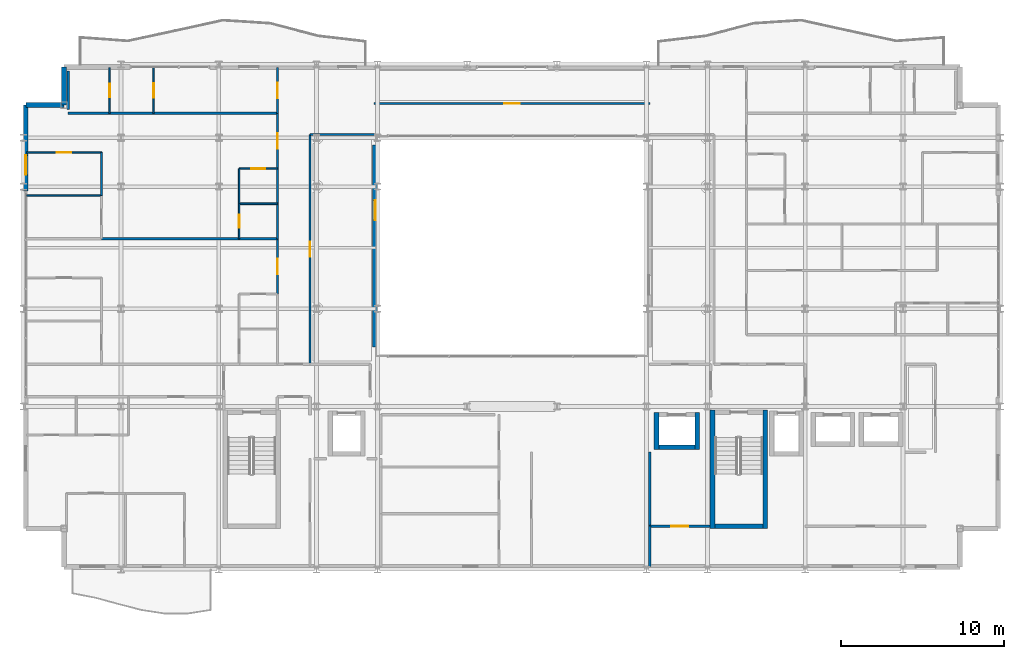
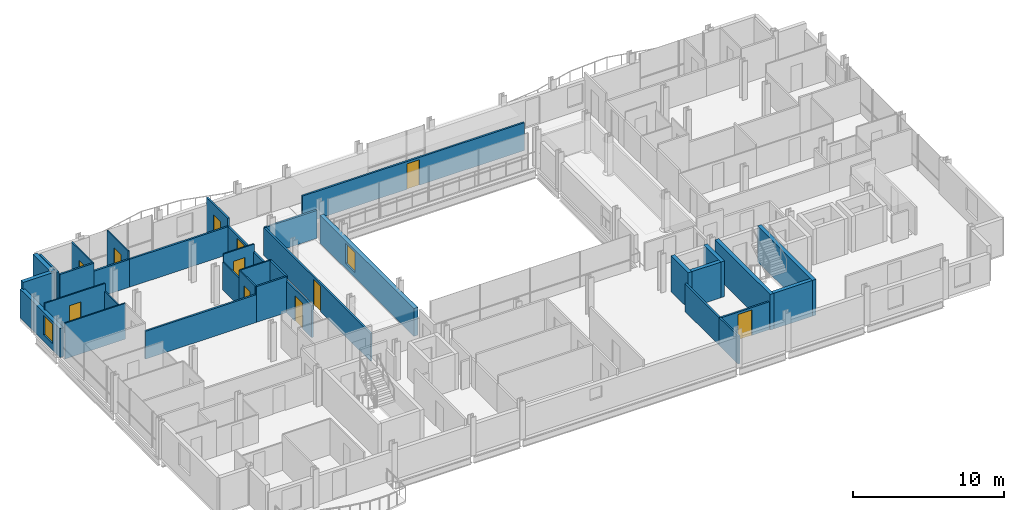
# One storey, part 35 of 41: 36 walls, 11 doors, 2 windows, 13 openings.
"""IFC4 building model written with IfcOpenShell, lengths in metres."""

from ifc_helpers import new_model, si_unit, direction, frame, frame_2d, origin, place, context, subcontext, project, spatial, rectangle, extrude, material, layer, layer_set, type_object, element, fill, save


model = new_model("IFC4")

# Units and contexts
model_context = context("Model", 3, precision=1e-05, world=origin(), true_north=direction((0.0, 1.0)))
body_context = subcontext(model_context, "Body", "Model", "MODEL_VIEW")
ifc_project = project(units=[si_unit("LENGTHUNIT", "METRE"), si_unit("AREAUNIT", "SQUARE_METRE"), si_unit("VOLUMEUNIT", "CUBIC_METRE"), si_unit("PLANEANGLEUNIT", "RADIAN"), si_unit("MASSUNIT", "GRAM", prefix="KILO")], contexts=[model_context])

# Site, building, storey
site_placement = place(None, origin())
site = spatial("IfcSite", under=ifc_project, at=site_placement, CompositionType="ELEMENT")
building_placement = place(site_placement, origin())
building = spatial("IfcBuilding", under=site, at=building_placement, Name="Brevholm Reach", CompositionType="ELEMENT")
storey_placement = place(building_placement, frame((0.0, 0.0, 138.699951171875)))
storey = spatial("IfcBuildingStorey", under=building, at=storey_placement, Name="L41", CompositionType="ELEMENT", Elevation=138.699951171875)

# Walls
ifc_material_1 = material(Name="Concrete C50/60", Category="concrete")
ifc_layer_1 = layer(ifc_material_1, 0.280029296875)
ifc_layer_set_1 = layer_set([ifc_layer_1], Name="Concrete C50/60")
wall_type_1 = type_object("IfcWallType", Name="WAL-COR-280", PredefinedType="SHEAR", material=ifc_layer_set_1)
for number, where, z_axis, x_axis, name in (
    (1, (42.31005859375, 2.5, 0.0), (0.0, 0.0, 1.0), (0.0, 1.0, 0.0), "L41 Escape Stair ST-2 Core Wall W"),
    (2, (45.5400390625, 2.5, 0.0), (0.0, 0.0, 1.0), (0.0, 1.0, 0.0), "L41 Escape Stair ST-2 Core Wall E"),
):
    element("IfcWall", number, at=place(storey_placement, frame(where, z_axis=z_axis, x_axis=x_axis)), inside=storey, type_object=wall_type_1, Name=name, PredefinedType="SHEAR", context=body_context, shape_type="SweptSolid", body=[
        extrude(rectangle(XDim=7.280029296875, YDim=0.280029296875, at=frame_2d((3.64013671875, 0.0))), origin(), (0.0, 0.0, 1.0), 2.880126953125),
    ])
wall_1_placement = place(storey_placement, frame((42.449951171875, 2.639892578125, 0.0), z_axis=(0.0, 0.0, 1.0), x_axis=(1.0, 0.0, 0.0)))
element("IfcWall", 3, at=wall_1_placement, inside=storey, type_object=wall_type_1, Name="L41 Escape Stair ST-2 Core Wall S", PredefinedType="SHEAR", context=body_context, shape_type="SweptSolid", body=[
    extrude(rectangle(XDim=2.949951171875, YDim=0.280029296875, at=frame_2d((1.47509765625, 0.0))), origin(), (0.0, 0.0, 1.0), 2.880126953125),
])
for number, where, z_axis, x_axis, name in (
    (4, (38.8701171875, 7.360107421875, 0.0), (0.0, 0.0, 1.0), (0.0, 1.0, 0.0), "L41 Lift PL-S1 Shaft Wall W"),
    (5, (41.3701171875, 7.360107421875, 0.0), (0.0, 0.0, 1.0), (0.0, 1.0, 0.0), "L41 Lift PL-S1 Shaft Wall E"),
):
    element("IfcWall", number, at=place(storey_placement, frame(where, z_axis=z_axis, x_axis=x_axis)), inside=storey, type_object=wall_type_1, Name=name, PredefinedType="SHEAR", context=body_context, shape_type="SweptSolid", body=[
        extrude(rectangle(XDim=2.27978515625, YDim=0.280029296875, at=frame_2d((1.139892578125, 0.0))), origin(), (0.0, 0.0, 1.0), 2.880126953125),
    ])
wall_2_placement = place(storey_placement, frame((39.010009765625, 7.5, 0.0), z_axis=(0.0, 0.0, 1.0), x_axis=(1.0, 0.0, 0.0)))
element("IfcWall", 6, at=wall_2_placement, inside=storey, type_object=wall_type_1, Name="L41 Lift PL-S1 Shaft Wall S", PredefinedType="SHEAR", context=body_context, shape_type="SweptSolid", body=[
    extrude(rectangle(XDim=2.219970703125, YDim=0.280029296875, at=frame_2d((1.10986328125, 0.0))), origin(), (0.0, 0.0, 1.0), 2.880126953125),
])
ifc_material_2 = material(Name="Concrete C40/50", Category="concrete")
ifc_layer_2 = layer(ifc_material_2, 0.300048828125)
ifc_layer_set_2 = layer_set([ifc_layer_2], Name="Concrete C40/50")
wall_type_2 = type_object("IfcWallType", Name="WAL-EXT-300", PredefinedType="STANDARD", material=ifc_layer_set_2)
for number, where, z_axis, x_axis, name in (
    (7, (2.5, 30.85009765625, 0.0), (0.0, 0.0, 1.0), (0.0, -1.0, 0.0), "L41 Facade Wall WAL-L41-CNW1"),
    (8, (2.5, 28.5, 0.0), (0.0, 0.0, 1.0), (-1.0, 0.0, 0.0), "L41 Facade Wall WAL-L41-CNW2"),
):
    element("IfcWall", number, at=place(storey_placement, frame(where, z_axis=z_axis, x_axis=x_axis)), inside=storey, type_object=wall_type_2, Name=name, PredefinedType="STANDARD", context=body_context, shape_type="SweptSolid", body=[
        extrude(rectangle(XDim=2.35009765625, YDim=0.300048828125, at=frame_2d((1.175048828125, 0.0))), origin(), (0.0, 0.0, 1.0), 2.880126953125),
    ])

# Wall, opening, window
wall_3_placement = place(storey_placement, frame((0.14990234375, 28.5, 0.0), z_axis=(0.0, 0.0, 1.0), x_axis=(0.0, -1.0, 0.0)))
wall_3 = element("IfcWall", 9, at=wall_3_placement, inside=storey, type_object=wall_type_2, Name="L41 Facade Wall WAL-L41-W-N", PredefinedType="STANDARD", context=body_context, shape_type="SweptSolid", body=[
    extrude(rectangle(XDim=5.280029296875, YDim=0.300048828125, at=frame_2d((2.64013671875, 0.0))), origin(), (0.0, 0.0, 1.0), 2.322021484375),
])
opening_1_placement = place(wall_3_placement, frame((3.080078125, 0.0, 0.501953125)))
opening_1 = element("IfcOpeningElement", 10, at=opening_1_placement, cuts=wall_3, Name="Opening WN-08", PredefinedType="OPENING", context=body_context, shape_type="SweptSolid", body=[
    extrude(rectangle(XDim=1.199951171875, YDim=1.60009765625, at=frame_2d((0.60009765625, 0.800048828125))), frame((0.0, 0.159912109375, 0.0), z_axis=(0.0, -1.0, 0.0), x_axis=(1.0, 0.0, 0.0)), (0.0, 0.0, 1.0), 0.320068359375),
])
ifc_material_3 = material(Name="Dark Anodised Aluminium and Solar-Control IGU Glass", Category="aluminium")
window_type = type_object("IfcWindowType", Name="WIN-RES-1200", PartitioningType="SINGLE_PANEL", PredefinedType="WINDOW", material=ifc_material_3)
window_1_placement = place(opening_1_placement, origin())
window_1 = element("IfcWindow", 11, at=window_1_placement, inside=storey, type_object=window_type, Name="L41 Window WIN-L41-WN-1", OverallHeight=1.60009765625, OverallWidth=1.199951171875, PartitioningType="SINGLE_PANEL", PredefinedType="WINDOW", context=body_context, shape_type="SweptSolid", body=[
    extrude(rectangle(XDim=1.199951171875, YDim=1.60009765625, at=frame_2d((0.60009765625, 0.800048828125))), frame((0.0, 0.030029296875, 0.0), z_axis=(0.0, -1.0, 0.0), x_axis=(1.0, 0.0, 0.0)), (0.0, 0.0, 1.0), 0.06005859375),
])
fill(opening_1, window_1)

wall_4_placement = place(storey_placement, frame((21.60009765625, 26.050048828125, 0.0), z_axis=(0.0, 0.0, 1.0), x_axis=(0.0, -1.0, 0.0)))
wall_4 = element("IfcWall", 12, at=wall_4_placement, inside=storey, type_object=wall_type_2, Name="L41 Facade Wall WAL-L41-AT-W", PredefinedType="STANDARD", context=body_context, shape_type="SweptSolid", body=[
    extrude(rectangle(XDim=12.400146484375, YDim=0.300048828125, at=frame_2d((6.2001953125, 0.0))), origin(), (0.0, 0.0, 1.0), 2.242919921875),
])
opening_2_placement = place(wall_4_placement, frame((3.39990234375, 0.0, 0.423095703125)))
opening_2 = element("IfcOpeningElement", 13, at=opening_2_placement, cuts=wall_4, Name="Opening WN-08", PredefinedType="OPENING", context=body_context, shape_type="SweptSolid", body=[
    extrude(rectangle(XDim=1.199951171875, YDim=1.60009765625, at=frame_2d((0.60009765625, 0.800048828125))), frame((0.0, 0.159912109375, 0.0), z_axis=(0.0, -1.0, 0.0), x_axis=(1.0, 0.0, 0.0)), (0.0, 0.0, 1.0), 0.320068359375),
])
window_2_placement = place(opening_2_placement, origin())
window_2 = element("IfcWindow", 14, at=window_2_placement, inside=storey, type_object=window_type, Name="L41 Window WIN-L41-AT-W1", OverallHeight=1.60009765625, OverallWidth=1.199951171875, PartitioningType="SINGLE_PANEL", PredefinedType="WINDOW", context=body_context, shape_type="SweptSolid", body=[
    extrude(rectangle(XDim=1.199951171875, YDim=1.60009765625, at=frame_2d((0.60009765625, 0.800048828125))), frame((0.0, 0.030029296875, 0.0), z_axis=(0.0, -1.0, 0.0), x_axis=(1.0, 0.0, 0.0)), (0.0, 0.0, 1.0), 0.06005859375),
])
fill(opening_2, window_2)

# Wall
ifc_material_4 = material(Name="Moisture-Resistant Acoustic Gypsum Stud Partition 100 mm", Category="gypsum")
ifc_layer_3 = layer(ifc_material_4, 0.10009765625)
ifc_layer_set_3 = layer_set([ifc_layer_3], Name="Moisture-Resistant Acoustic Gypsum Stud Partition 100 mm")
wall_type_3 = type_object("IfcWallType", Name="WAL-PRT-100", PredefinedType="PARTITIONING", material=ifc_layer_set_3)
wall_5_placement = place(storey_placement, frame((13.25, 22.449951171875, 0.0), z_axis=(0.0, 0.0, 1.0), x_axis=(1.0, 0.0, 0.0)))
element("IfcWall", 15, at=wall_5_placement, inside=storey, type_object=wall_type_3, Name="L41 Internal Partition 080", PredefinedType="PARTITIONING", context=body_context, shape_type="SweptSolid", body=[
    extrude(rectangle(XDim=2.345947265625, YDim=0.10009765625, at=frame_2d((1.1728515625, 0.0))), origin(), (0.0, 0.0, 1.0), 2.880126953125),
])

# Wall, opening, door
wall_6_placement = place(storey_placement, frame((13.25, 20.303955078125, 0.0), z_axis=(0.0, 0.0, 1.0), x_axis=(0.0, 1.0, 0.0)))
wall_6 = element("IfcWall", 16, at=wall_6_placement, inside=storey, type_object=wall_type_3, Name="L41 Internal Partition 081", PredefinedType="PARTITIONING", context=body_context, shape_type="SweptSolid", body=[
    extrude(rectangle(XDim=2.14599609375, YDim=0.10009765625, at=frame_2d((1.072998046875, 0.0))), origin(), (0.0, 0.0, 1.0), 2.880126953125),
])
opening_3_placement = place(wall_6_placement, frame((0.6630859375, 0.0, 0.0)))
opening_3 = element("IfcOpeningElement", 17, at=opening_3_placement, cuts=wall_6, Name="Opening ID-03", PredefinedType="OPENING", context=body_context, shape_type="SweptSolid", body=[
    extrude(rectangle(XDim=0.820068359375, YDim=2.02001953125, at=frame_2d((0.41015625, 1.010009765625))), frame((0.0, 0.06005859375, 0.0), z_axis=(0.0, -1.0, 0.0), x_axis=(1.0, 0.0, 0.0)), (0.0, 0.0, 1.0), 0.1201171875),
])
ifc_material_5 = material(Name="Moisture-Resistant Painted Timber Internal Bathroom Door", Category="wood")
door_type_1 = type_object("IfcDoorType", Name="DOR-BATH-820", OperationType="NOTDEFINED", PredefinedType="DOOR", material=ifc_material_5)
door_1_placement = place(opening_3_placement, origin())
door_1 = element("IfcDoor", 18, at=door_1_placement, inside=storey, type_object=door_type_1, Name="L41 Internal Door 035", OperationType="SINGLE_SWING_RIGHT", OverallHeight=2.02001953125, OverallWidth=0.820068359375, PredefinedType="DOOR", context=body_context, shape_type="SweptSolid", body=[
    extrude(rectangle(XDim=0.820068359375, YDim=2.02001953125, at=frame_2d((0.41015625, 1.010009765625))), frame((0.0, 0.02490234375, 0.0), z_axis=(0.0, -1.0, 0.0), x_axis=(1.0, 0.0, 0.0)), (0.0, 0.0, 1.0), 0.050048828125),
])
fill(opening_3, door_1)

wall_7_placement = place(storey_placement, frame((13.25, 24.60595703125, 0.0), z_axis=(0.0, 0.0, 1.0), x_axis=(1.0, 0.0, 0.0)))
wall_7 = element("IfcWall", 19, at=wall_7_placement, inside=storey, type_object=wall_type_3, Name="L41 Internal Partition 082", PredefinedType="PARTITIONING", context=body_context, shape_type="SweptSolid", body=[
    extrude(rectangle(XDim=2.345947265625, YDim=0.10009765625, at=frame_2d((1.1728515625, 0.0))), origin(), (0.0, 0.0, 1.0), 2.880126953125),
])
opening_4_placement = place(wall_7_placement, frame((0.73291015625, 0.0, 0.0)))
opening_4 = element("IfcOpeningElement", 20, at=opening_4_placement, cuts=wall_7, Name="Opening ID-01", PredefinedType="OPENING", context=body_context, shape_type="SweptSolid", body=[
    extrude(rectangle(XDim=0.8798828125, YDim=2.0400390625, at=frame_2d((0.43994140625, 1.02001953125))), frame((0.0, 0.06005859375, 0.0), z_axis=(0.0, -1.0, 0.0), x_axis=(1.0, 0.0, 0.0)), (0.0, 0.0, 1.0), 0.1201171875),
])
ifc_material_6 = material(Name="Lacquered Ash Solid-Core Acoustic Internal Door", Category="timber")
door_type_2 = type_object("IfcDoorType", Name="DOR-INT-880", OperationType="NOTDEFINED", PredefinedType="DOOR", material=ifc_material_6)
door_2_placement = place(opening_4_placement, origin())
door_2 = element("IfcDoor", 21, at=door_2_placement, inside=storey, type_object=door_type_2, Name="L41 Internal Door 036", OperationType="SINGLE_SWING_LEFT", OverallHeight=2.0400390625, OverallWidth=0.8798828125, PredefinedType="DOOR", context=body_context, shape_type="SweptSolid", body=[
    extrude(rectangle(XDim=0.8798828125, YDim=2.0400390625, at=frame_2d((0.43994140625, 1.02001953125))), frame((0.0, 0.02490234375, 0.0), z_axis=(0.0, -1.0, 0.0), x_axis=(1.0, 0.0, 0.0)), (0.0, 0.0, 1.0), 0.050048828125),
])
fill(opening_4, door_2)

# Walls
wall_8_placement = place(storey_placement, frame((13.25, 22.4541015625, 0.0), z_axis=(0.0, 0.0, 1.0), x_axis=(0.0, 1.0, 0.0)))
element("IfcWall", 22, at=wall_8_placement, inside=storey, type_object=wall_type_3, Name="L41 Internal Partition 083", PredefinedType="PARTITIONING", context=body_context, shape_type="SweptSolid", body=[
    extrude(rectangle(XDim=2.15185546875, YDim=0.10009765625, at=frame_2d((1.075927734375, 0.0))), origin(), (0.0, 0.0, 1.0), 2.242919921875),
])
wall_9_placement = place(storey_placement, frame((0.199951171875, 22.949951171875, 0.0), z_axis=(0.0, 0.0, 1.0), x_axis=(1.0, 0.0, 0.0)))
element("IfcWall", 23, at=wall_9_placement, inside=storey, type_object=wall_type_3, Name="L41 Internal Partition 084", PredefinedType="PARTITIONING", context=body_context, shape_type="SweptSolid", body=[
    extrude(rectangle(XDim=4.60009765625, YDim=0.10009765625, at=frame_2d((2.300048828125, 0.0))), origin(), (0.0, 0.0, 1.0), 2.880126953125),
])
wall_10_placement = place(storey_placement, frame((4.800048828125, 22.9541015625, 0.0), z_axis=(0.0, 0.0, 1.0), x_axis=(0.0, 1.0, 0.0)))
element("IfcWall", 24, at=wall_10_placement, inside=storey, type_object=wall_type_3, Name="L41 Internal Partition 086", PredefinedType="PARTITIONING", context=body_context, shape_type="SweptSolid", body=[
    extrude(rectangle(XDim=2.64599609375, YDim=0.10009765625, at=frame_2d((1.322998046875, 0.0))), origin(), (0.0, 0.0, 1.0), 2.242919921875),
])

# Wall, opening, door
wall_11_placement = place(storey_placement, frame((0.199951171875, 25.60009765625, 0.0), z_axis=(0.0, 0.0, 1.0), x_axis=(1.0, 0.0, 0.0)))
wall_11 = element("IfcWall", 25, at=wall_11_placement, inside=storey, type_object=wall_type_3, Name="L41 Internal Partition 087", PredefinedType="PARTITIONING", context=body_context, shape_type="SweptSolid", body=[
    extrude(rectangle(XDim=4.60009765625, YDim=0.10009765625, at=frame_2d((2.300048828125, 0.0))), origin(), (0.0, 0.0, 1.0), 2.880126953125),
])
opening_5_placement = place(wall_11_placement, frame((1.860107421875, 0.0, 0.0)))
opening_5 = element("IfcOpeningElement", 26, at=opening_5_placement, cuts=wall_11, Name="Opening ID-01", PredefinedType="OPENING", context=body_context, shape_type="SweptSolid", body=[
    extrude(rectangle(XDim=0.8798828125, YDim=2.0400390625, at=frame_2d((0.43994140625, 1.02001953125))), frame((0.0, 0.06005859375, 0.0), z_axis=(0.0, -1.0, 0.0), x_axis=(1.0, 0.0, 0.0)), (0.0, 0.0, 1.0), 0.1201171875),
])
door_3_placement = place(opening_5_placement, origin())
door_3 = element("IfcDoor", 27, at=door_3_placement, inside=storey, type_object=door_type_2, Name="L41 Internal Door 038", OperationType="SINGLE_SWING_LEFT", OverallHeight=2.0400390625, OverallWidth=0.8798828125, PredefinedType="DOOR", context=body_context, shape_type="SweptSolid", body=[
    extrude(rectangle(XDim=0.8798828125, YDim=2.0400390625, at=frame_2d((0.43994140625, 1.02001953125))), frame((0.0, 0.02490234375, 0.0), z_axis=(0.0, -1.0, 0.0), x_axis=(1.0, 0.0, 0.0)), (0.0, 0.0, 1.0), 0.050048828125),
])
fill(opening_5, door_3)

wall_12_placement = place(storey_placement, frame((5.300048828125, 28.00390625, 0.0), z_axis=(0.0, 0.0, 1.0), x_axis=(0.0, 1.0, 0.0)))
wall_12 = element("IfcWall", 28, at=wall_12_placement, inside=storey, type_object=wall_type_3, Name="L41 Internal Partition 113", PredefinedType="PARTITIONING", context=body_context, shape_type="SweptSolid", body=[
    extrude(rectangle(XDim=2.796142578125, YDim=0.10009765625, at=frame_2d((1.39794921875, 0.0))), origin(), (0.0, 0.0, 1.0), 2.880126953125),
])
opening_6_placement = place(wall_12_placement, frame((0.988037109375, 0.0, 0.0)))
opening_6 = element("IfcOpeningElement", 29, at=opening_6_placement, cuts=wall_12, Name="Opening ID-03", PredefinedType="OPENING", context=body_context, shape_type="SweptSolid", body=[
    extrude(rectangle(XDim=0.820068359375, YDim=2.02001953125, at=frame_2d((0.41015625, 1.010009765625))), frame((0.0, 0.06005859375, 0.0), z_axis=(0.0, -1.0, 0.0), x_axis=(1.0, 0.0, 0.0)), (0.0, 0.0, 1.0), 0.1201171875),
])
door_4_placement = place(opening_6_placement, origin())
door_4 = element("IfcDoor", 30, at=door_4_placement, inside=storey, type_object=door_type_1, Name="L41 Access Door 048", OperationType="SINGLE_SWING_LEFT", OverallHeight=2.02001953125, OverallWidth=0.820068359375, PredefinedType="DOOR", context=body_context, shape_type="SweptSolid", body=[
    extrude(rectangle(XDim=0.820068359375, YDim=2.02001953125, at=frame_2d((0.41015625, 1.010009765625))), frame((0.0, 0.02490234375, 0.0), z_axis=(0.0, -1.0, 0.0), x_axis=(1.0, 0.0, 0.0)), (0.0, 0.0, 1.0), 0.050048828125),
])
fill(opening_6, door_4)

wall_13_placement = place(storey_placement, frame((8.0, 28.00390625, 0.0), z_axis=(0.0, 0.0, 1.0), x_axis=(0.0, 1.0, 0.0)))
wall_13 = element("IfcWall", 31, at=wall_13_placement, inside=storey, type_object=wall_type_3, Name="L41 Internal Partition 114", PredefinedType="PARTITIONING", context=body_context, shape_type="SweptSolid", body=[
    extrude(rectangle(XDim=2.796142578125, YDim=0.10009765625, at=frame_2d((1.39794921875, 0.0))), origin(), (0.0, 0.0, 1.0), 2.880126953125),
])
opening_7_placement = place(wall_13_placement, frame((0.9580078125, 0.0, 0.0)))
opening_7 = element("IfcOpeningElement", 32, at=opening_7_placement, cuts=wall_13, Name="Opening ID-01", PredefinedType="OPENING", context=body_context, shape_type="SweptSolid", body=[
    extrude(rectangle(XDim=0.8798828125, YDim=2.0400390625, at=frame_2d((0.43994140625, 1.02001953125))), frame((0.0, 0.06005859375, 0.0), z_axis=(0.0, -1.0, 0.0), x_axis=(1.0, 0.0, 0.0)), (0.0, 0.0, 1.0), 0.1201171875),
])
door_5_placement = place(opening_7_placement, origin())
door_5 = element("IfcDoor", 33, at=door_5_placement, inside=storey, type_object=door_type_2, Name="L41 Internal Door 046", OperationType="SINGLE_SWING_LEFT", OverallHeight=2.0400390625, OverallWidth=0.8798828125, PredefinedType="DOOR", context=body_context, shape_type="SweptSolid", body=[
    extrude(rectangle(XDim=0.8798828125, YDim=2.0400390625, at=frame_2d((0.43994140625, 1.02001953125))), frame((0.0, 0.02490234375, 0.0), z_axis=(0.0, -1.0, 0.0), x_axis=(1.0, 0.0, 0.0)), (0.0, 0.0, 1.0), 0.050048828125),
])
fill(opening_7, door_5)

# Walls
ifc_material_7 = material(Name="Twin-Stud Acoustic Fire-Rated Gypsum Partition 140 mm", Category="gypsum")
ifc_layer_4 = layer(ifc_material_7, 0.139892578125)
ifc_layer_set_4 = layer_set([ifc_layer_4], Name="Twin-Stud Acoustic Fire-Rated Gypsum Partition 140 mm")
wall_type_4 = type_object("IfcWallType", Name="WAL-PRT-140", PredefinedType="PARTITIONING", material=ifc_layer_set_4)
wall_14_placement = place(storey_placement, frame((38.449951171875, 0.179931640625, 0.0), z_axis=(0.0, 0.0, 1.0), x_axis=(0.0, 1.0, 0.0)))
element("IfcWall", 34, at=wall_14_placement, inside=storey, type_object=wall_type_4, Name="L41 Internal Partition 010", PredefinedType="PARTITIONING", context=body_context, shape_type="SweptSolid", body=[
    extrude(rectangle(XDim=2.4814453125, YDim=0.139892578125, at=frame_2d((1.24072265625, 0.0))), origin(), (0.0, 0.0, 1.0), 2.242919921875),
])
wall_15_placement = place(storey_placement, frame((38.449951171875, 2.642578125, 0.0), z_axis=(0.0, 0.0, 1.0), x_axis=(0.0, 1.0, 0.0)))
element("IfcWall", 35, at=wall_15_placement, inside=storey, type_object=wall_type_4, Name="L41 Internal Partition 011", PredefinedType="PARTITIONING", context=body_context, shape_type="SweptSolid", body=[
    extrude(rectangle(XDim=4.557373046875, YDim=0.139892578125, at=frame_2d((2.27880859375, 0.0))), origin(), (0.0, 0.0, 1.0), 2.242919921875),
])

# Wall, opening, door
wall_16_placement = place(storey_placement, frame((38.4541015625, 2.64990234375, 0.0), z_axis=(0.0, 0.0, 1.0), x_axis=(1.0, 0.0, 0.0)))
wall_16 = element("IfcWall", 36, at=wall_16_placement, inside=storey, type_object=wall_type_4, Name="L41 Internal Partition 013", PredefinedType="PARTITIONING", context=body_context, shape_type="SweptSolid", body=[
    extrude(rectangle(XDim=3.705810546875, YDim=0.139892578125, at=frame_2d((1.85302734375, 0.0))), origin(), (0.0, 0.0, 1.0), 2.242919921875),
])
opening_8_placement = place(wall_16_placement, frame((1.327880859375, 0.0, 0.0)))
opening_8 = element("IfcOpeningElement", 37, at=opening_8_placement, cuts=wall_16, Name="Opening FD-01", PredefinedType="OPENING", context=body_context, shape_type="SweptSolid", body=[
    extrude(rectangle(XDim=1.050048828125, YDim=2.06005859375, at=frame_2d((0.52490234375, 1.030029296875))), frame((0.0, 0.079833984375, 0.0), z_axis=(0.0, -1.0, 0.0), x_axis=(1.0, 0.0, 0.0)), (0.0, 0.0, 1.0), 0.159912109375),
])
ifc_material_8 = material(Name="Hardwood-Lipped Steel-Core Fire and Smoke Door", Category="steel")
door_type_3 = type_object("IfcDoorType", Name="DOR-INT-FD60S", OperationType="NOTDEFINED", PredefinedType="DOOR", material=ifc_material_8)
door_6_placement = place(opening_8_placement, origin())
door_6 = element("IfcDoor", 38, at=door_6_placement, inside=storey, type_object=door_type_3, Name="L41 Internal Door 006", OperationType="SINGLE_SWING_LEFT", OverallHeight=2.06005859375, OverallWidth=1.050048828125, PredefinedType="DOOR", context=body_context, shape_type="SweptSolid", body=[
    extrude(rectangle(XDim=1.050048828125, YDim=2.06005859375, at=frame_2d((0.52490234375, 1.030029296875))), frame((0.0, 0.02490234375, 0.0), z_axis=(0.0, -1.0, 0.0), x_axis=(1.0, 0.0, 0.0)), (0.0, 0.0, 1.0), 0.050048828125),
])
fill(opening_8, door_6)

wall_17_placement = place(storey_placement, frame((15.60009765625, 16.898681640625, 0.0), z_axis=(0.0, 0.0, 1.0), x_axis=(0.0, 1.0, 0.0)))
wall_17 = element("IfcWall", 39, at=wall_17_placement, inside=storey, type_object=wall_type_4, Name="L41 Internal Partition 036", PredefinedType="PARTITIONING", context=body_context, shape_type="SweptSolid", body=[
    extrude(rectangle(XDim=3.41259765625, YDim=0.139892578125, at=frame_2d((1.706298828125, 0.0))), origin(), (0.0, 0.0, 1.0), 2.5517578125),
])
opening_9_placement = place(wall_17_placement, frame((1.231201171875, 0.0, 0.0)))
opening_9 = element("IfcOpeningElement", 40, at=opening_9_placement, cuts=wall_17, Name="Opening ID-30", PredefinedType="OPENING", context=body_context, shape_type="SweptSolid", body=[
    extrude(rectangle(XDim=0.949951171875, YDim=2.050048828125, at=frame_2d((0.47509765625, 1.02490234375))), frame((0.0, 0.079833984375, 0.0), z_axis=(0.0, -1.0, 0.0), x_axis=(1.0, 0.0, 0.0)), (0.0, 0.0, 1.0), 0.159912109375),
])
ifc_material_9 = material(Name="European Oak Veneered Solid-Core Fire Entrance Door", Category="timber")
door_type_4 = type_object("IfcDoorType", Name="DOR-FLT-FD30S", OperationType="NOTDEFINED", PredefinedType="DOOR", material=ifc_material_9)
door_7_placement = place(opening_9_placement, origin())
door_7 = element("IfcDoor", 41, at=door_7_placement, inside=storey, type_object=door_type_4, Name="L41 Internal Door 018", OperationType="SINGLE_SWING_LEFT", OverallHeight=2.050048828125, OverallWidth=0.949951171875, PredefinedType="DOOR", context=body_context, shape_type="SweptSolid", body=[
    extrude(rectangle(XDim=0.949951171875, YDim=2.050048828125, at=frame_2d((0.47509765625, 1.02490234375))), frame((0.0, 0.02490234375, 0.0), z_axis=(0.0, -1.0, 0.0), x_axis=(1.0, 0.0, 0.0)), (0.0, 0.0, 1.0), 0.050048828125),
])
fill(opening_9, door_7)

# Walls
wall_18_placement = place(storey_placement, frame((15.60009765625, 20.292724609375, 0.0), z_axis=(0.0, 0.0, 1.0), x_axis=(0.0, 1.0, 0.0)))
element("IfcWall", 42, at=wall_18_placement, inside=storey, type_object=wall_type_4, Name="L41 Internal Partition 037", PredefinedType="PARTITIONING", context=body_context, shape_type="SweptSolid", body=[
    extrude(rectangle(XDim=2.16845703125, YDim=0.139892578125, at=frame_2d((1.084228515625, 0.0))), origin(), (0.0, 0.0, 1.0), 2.880126953125),
])
wall_19_placement = place(storey_placement, frame((15.60009765625, 22.442626953125, 0.0), z_axis=(0.0, 0.0, 1.0), x_axis=(0.0, 1.0, 0.0)))
element("IfcWall", 43, at=wall_19_placement, inside=storey, type_object=wall_type_4, Name="L41 Internal Partition 038", PredefinedType="PARTITIONING", context=body_context, shape_type="SweptSolid", body=[
    extrude(rectangle(XDim=2.174560546875, YDim=0.139892578125, at=frame_2d((1.08740234375, 0.0))), origin(), (0.0, 0.0, 1.0), 2.242919921875),
])

# Wall, opening, door
wall_20_placement = place(storey_placement, frame((15.60009765625, 24.5986328125, 0.0), z_axis=(0.0, 0.0, 1.0), x_axis=(0.0, 1.0, 0.0)))
wall_20 = element("IfcWall", 44, at=wall_20_placement, inside=storey, type_object=wall_type_4, Name="L41 Internal Partition 039", PredefinedType="PARTITIONING", context=body_context, shape_type="SweptSolid", body=[
    extrude(rectangle(XDim=3.41259765625, YDim=0.139892578125, at=frame_2d((1.706298828125, 0.0))), origin(), (0.0, 0.0, 1.0), 2.242919921875),
])
opening_10_placement = place(wall_20_placement, frame((1.231201171875, 0.0, 0.0)))
opening_10 = element("IfcOpeningElement", 45, at=opening_10_placement, cuts=wall_20, Name="Opening ID-30", PredefinedType="OPENING", context=body_context, shape_type="SweptSolid", body=[
    extrude(rectangle(XDim=0.949951171875, YDim=2.050048828125, at=frame_2d((0.47509765625, 1.02490234375))), frame((0.0, 0.079833984375, 0.0), z_axis=(0.0, -1.0, 0.0), x_axis=(1.0, 0.0, 0.0)), (0.0, 0.0, 1.0), 0.159912109375),
])
door_8_placement = place(opening_10_placement, origin())
door_8 = element("IfcDoor", 46, at=door_8_placement, inside=storey, type_object=door_type_4, Name="L41 Internal Door 019", OperationType="SINGLE_SWING_RIGHT", OverallHeight=2.050048828125, OverallWidth=0.949951171875, PredefinedType="DOOR", context=body_context, shape_type="SweptSolid", body=[
    extrude(rectangle(XDim=0.949951171875, YDim=2.050048828125, at=frame_2d((0.47509765625, 1.02490234375))), frame((0.0, 0.02490234375, 0.0), z_axis=(0.0, -1.0, 0.0), x_axis=(1.0, 0.0, 0.0)), (0.0, 0.0, 1.0), 0.050048828125),
])
fill(opening_10, door_8)

wall_21_placement = place(storey_placement, frame((17.60009765625, 12.60400390625, 0.0), z_axis=(0.0, 0.0, 1.0), x_axis=(0.0, 1.0, 0.0)))
wall_21 = element("IfcWall", 47, at=wall_21_placement, inside=storey, type_object=wall_type_4, Name="L41 Internal Partition 040", PredefinedType="PARTITIONING", context=body_context, shape_type="SweptSolid", body=[
    extrude(rectangle(XDim=14.103271484375, YDim=0.139892578125, at=frame_2d((7.0517578125, 0.0))), origin(), (0.0, 0.0, 1.0), 2.242919921875),
])
opening_11_placement = place(wall_21_placement, frame((6.57666015625, 0.0, 0.0)))
opening_11 = element("IfcOpeningElement", 48, at=opening_11_placement, cuts=wall_21, Name="Opening ID-30", PredefinedType="OPENING", context=body_context, shape_type="SweptSolid", body=[
    extrude(rectangle(XDim=0.949951171875, YDim=2.050048828125, at=frame_2d((0.47509765625, 1.02490234375))), frame((0.0, 0.079833984375, 0.0), z_axis=(0.0, -1.0, 0.0), x_axis=(1.0, 0.0, 0.0)), (0.0, 0.0, 1.0), 0.159912109375),
])
door_9_placement = place(opening_11_placement, origin())
door_9 = element("IfcDoor", 49, at=door_9_placement, inside=storey, type_object=door_type_4, Name="L41 Internal Door 020", OperationType="SINGLE_SWING_LEFT", OverallHeight=2.050048828125, OverallWidth=0.949951171875, PredefinedType="DOOR", context=body_context, shape_type="SweptSolid", body=[
    extrude(rectangle(XDim=0.949951171875, YDim=2.050048828125, at=frame_2d((0.47509765625, 1.02490234375))), frame((0.0, 0.02490234375, 0.0), z_axis=(0.0, -1.0, 0.0), x_axis=(1.0, 0.0, 0.0)), (0.0, 0.0, 1.0), 0.050048828125),
])
fill(opening_11, door_9)

wall_22_placement = place(storey_placement, frame((15.60009765625, 27.99267578125, 0.0), z_axis=(0.0, 0.0, 1.0), x_axis=(0.0, 1.0, 0.0)))
wall_22 = element("IfcWall", 50, at=wall_22_placement, inside=storey, type_object=wall_type_4, Name="L41 Internal Partition 041", PredefinedType="PARTITIONING", context=body_context, shape_type="SweptSolid", body=[
    extrude(rectangle(XDim=2.807373046875, YDim=0.139892578125, at=frame_2d((1.40380859375, 0.0))), origin(), (0.0, 0.0, 1.0), 2.880126953125),
])
opening_12_placement = place(wall_22_placement, frame((0.9287109375, 0.0, 0.0)))
opening_12 = element("IfcOpeningElement", 51, at=opening_12_placement, cuts=wall_22, Name="Opening ID-30", PredefinedType="OPENING", context=body_context, shape_type="SweptSolid", body=[
    extrude(rectangle(XDim=0.949951171875, YDim=2.050048828125, at=frame_2d((0.47509765625, 1.02490234375))), frame((0.0, 0.079833984375, 0.0), z_axis=(0.0, -1.0, 0.0), x_axis=(1.0, 0.0, 0.0)), (0.0, 0.0, 1.0), 0.159912109375),
])
door_10_placement = place(opening_12_placement, origin())
door_10 = element("IfcDoor", 52, at=door_10_placement, inside=storey, type_object=door_type_4, Name="L41 Internal Door 021", OperationType="SINGLE_SWING_RIGHT", OverallHeight=2.050048828125, OverallWidth=0.949951171875, PredefinedType="DOOR", context=body_context, shape_type="SweptSolid", body=[
    extrude(rectangle(XDim=0.949951171875, YDim=2.050048828125, at=frame_2d((0.47509765625, 1.02490234375))), frame((0.0, 0.02490234375, 0.0), z_axis=(0.0, -1.0, 0.0), x_axis=(1.0, 0.0, 0.0)), (0.0, 0.0, 1.0), 0.050048828125),
])
fill(opening_12, door_10)

# Wall
wall_23_placement = place(storey_placement, frame((17.60400390625, 26.699951171875, 0.0), z_axis=(0.0, 0.0, 1.0), x_axis=(1.0, 0.0, 0.0)))
element("IfcWall", 53, at=wall_23_placement, inside=storey, type_object=wall_type_4, Name="L41 Internal Partition 052", PredefinedType="PARTITIONING", context=body_context, shape_type="SweptSolid", body=[
    extrude(rectangle(XDim=3.957275390625, YDim=0.139892578125, at=frame_2d((1.978515625, 0.0))), origin(), (0.0, 0.0, 1.0), 2.242919921875),
])

# Wall, opening, door
wall_24_placement = place(storey_placement, frame((21.542724609375, 28.60009765625, 0.0), z_axis=(0.0, 0.0, 1.0), x_axis=(1.0, 0.0, 0.0)))
wall_24 = element("IfcWall", 54, at=wall_24_placement, inside=storey, type_object=wall_type_4, Name="L41 Internal Partition 054", PredefinedType="PARTITIONING", context=body_context, shape_type="SweptSolid", body=[
    extrude(rectangle(XDim=16.91455078125, YDim=0.139892578125, at=frame_2d((8.457275390625, 0.0))), origin(), (0.0, 0.0, 1.0), 2.242919921875),
])
opening_13_placement = place(wall_24_placement, frame((7.982421875, 0.0, 0.0)))
opening_13 = element("IfcOpeningElement", 55, at=opening_13_placement, cuts=wall_24, Name="Opening ID-30", PredefinedType="OPENING", context=body_context, shape_type="SweptSolid", body=[
    extrude(rectangle(XDim=0.949951171875, YDim=2.050048828125, at=frame_2d((0.47509765625, 1.02490234375))), frame((0.0, 0.079833984375, 0.0), z_axis=(0.0, -1.0, 0.0), x_axis=(1.0, 0.0, 0.0)), (0.0, 0.0, 1.0), 0.159912109375),
])
door_11_placement = place(opening_13_placement, origin())
door_11 = element("IfcDoor", 56, at=door_11_placement, inside=storey, type_object=door_type_4, Name="L41 Internal Door 025", OperationType="SINGLE_SWING_RIGHT", OverallHeight=2.050048828125, OverallWidth=0.949951171875, PredefinedType="DOOR", context=body_context, shape_type="SweptSolid", body=[
    extrude(rectangle(XDim=0.949951171875, YDim=2.050048828125, at=frame_2d((0.47509765625, 1.02490234375))), frame((0.0, 0.02490234375, 0.0), z_axis=(0.0, -1.0, 0.0), x_axis=(1.0, 0.0, 0.0)), (0.0, 0.0, 1.0), 0.050048828125),
])
fill(opening_13, door_11)

# Walls
wall_25_placement = place(storey_placement, frame((13.23876953125, 20.300048828125, 0.0), z_axis=(0.0, 0.0, 1.0), x_axis=(1.0, 0.0, 0.0)))
element("IfcWall", 57, at=wall_25_placement, inside=storey, type_object=wall_type_4, Name="L41 Internal Partition 077", PredefinedType="PARTITIONING", context=body_context, shape_type="SweptSolid", body=[
    extrude(rectangle(XDim=2.357177734375, YDim=0.139892578125, at=frame_2d((1.1787109375, 0.0))), origin(), (0.0, 0.0, 1.0), 2.880126953125),
])
wall_26_placement = place(storey_placement, frame((4.792724609375, 20.300048828125, 0.0), z_axis=(0.0, 0.0, 1.0), x_axis=(1.0, 0.0, 0.0)))
element("IfcWall", 58, at=wall_26_placement, inside=storey, type_object=wall_type_4, Name="L41 Internal Partition 079", PredefinedType="PARTITIONING", context=body_context, shape_type="SweptSolid", body=[
    extrude(rectangle(XDim=8.464599609375, YDim=0.139892578125, at=frame_2d((4.232421875, 0.0))), origin(), (0.0, 0.0, 1.0), 2.242919921875),
])
wall_27_placement = place(storey_placement, frame((2.73876953125, 28.0, 0.0), z_axis=(0.0, 0.0, 1.0), x_axis=(1.0, 0.0, 0.0)))
element("IfcWall", 59, at=wall_27_placement, inside=storey, type_object=wall_type_4, Name="L41 Internal Partition 088", PredefinedType="PARTITIONING", context=body_context, shape_type="SweptSolid", body=[
    extrude(rectangle(XDim=2.572509765625, YDim=0.139892578125, at=frame_2d((1.2861328125, 0.0))), origin(), (0.0, 0.0, 1.0), 2.880126953125),
])
wall_28_placement = place(storey_placement, frame((5.292724609375, 28.0, 0.0), z_axis=(0.0, 0.0, 1.0), x_axis=(1.0, 0.0, 0.0)))
element("IfcWall", 60, at=wall_28_placement, inside=storey, type_object=wall_type_4, Name="L41 Internal Partition 089", PredefinedType="PARTITIONING", context=body_context, shape_type="SweptSolid", body=[
    extrude(rectangle(XDim=2.718505859375, YDim=0.139892578125, at=frame_2d((1.359375, 0.0))), origin(), (0.0, 0.0, 1.0), 2.242919921875),
])
wall_29_placement = place(storey_placement, frame((7.99267578125, 28.0, 0.0), z_axis=(0.0, 0.0, 1.0), x_axis=(1.0, 0.0, 0.0)))
element("IfcWall", 61, at=wall_29_placement, inside=storey, type_object=wall_type_4, Name="L41 Internal Partition 090", PredefinedType="PARTITIONING", context=body_context, shape_type="SweptSolid", body=[
    extrude(rectangle(XDim=7.603271484375, YDim=0.139892578125, at=frame_2d((3.8017578125, 0.0))), origin(), (0.0, 0.0, 1.0), 2.242919921875),
])
wall_30_placement = place(storey_placement, frame((2.75, 28.239990234375, 0.0), z_axis=(0.0, 0.0, 1.0), x_axis=(0.0, 1.0, 0.0)))
element("IfcWall", 62, at=wall_30_placement, inside=storey, type_object=wall_type_4, Name="L41 Internal Partition 121", PredefinedType="PARTITIONING", context=body_context, shape_type="SweptSolid", body=[
    extrude(rectangle(XDim=2.3701171875, YDim=0.139892578125, at=frame_2d((1.18505859375, 0.0))), origin(), (0.0, 0.0, 1.0), 2.880126953125),
])

save(model, "model.ifc")
